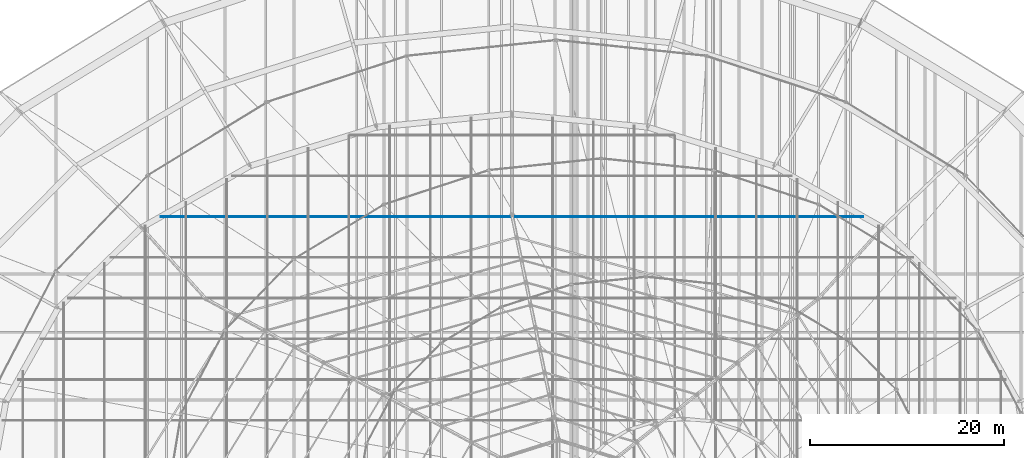
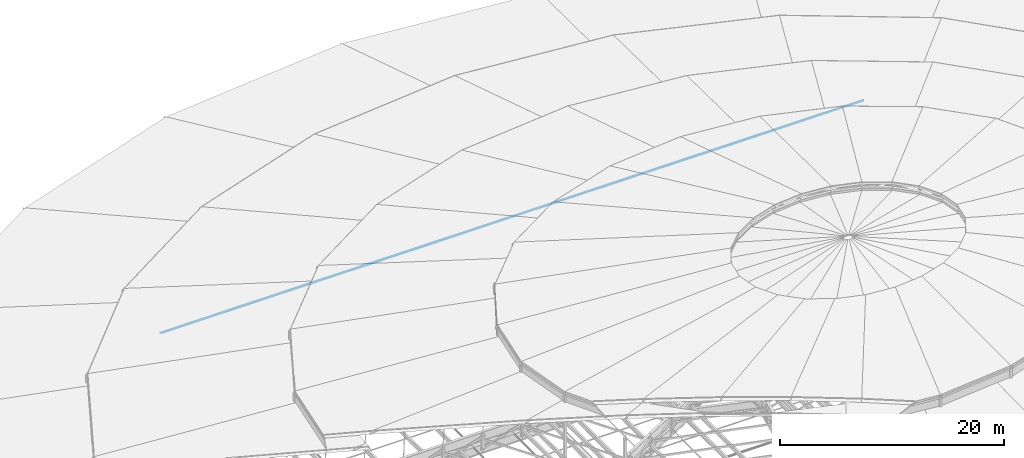
# One storey, part 115 of 184: 1 member.
"""IFC4 building model written with IfcOpenShell, lengths in metres."""

from ifc_helpers import new_model, si_unit, direction, frame, origin, origin_2d, place, context, subcontext, project, spatial, circle, extrude, material, material_profile, profile_set, type_object, element, save


model = new_model("IFC4")

# Units and contexts
model_context = context("Model", 3, precision=1e-05, world=origin(), true_north=direction((0.0, 1.0)))
body_context = subcontext(model_context, "Body", "Model", "MODEL_VIEW")
ifc_project = project(units=[si_unit("LENGTHUNIT", "METRE"), si_unit("AREAUNIT", "SQUARE_METRE"), si_unit("VOLUMEUNIT", "CUBIC_METRE"), si_unit("PLANEANGLEUNIT", "RADIAN"), si_unit("MASSUNIT", "GRAM", prefix="KILO")], contexts=[model_context])

# Site, building, storey
site_placement = place(None, origin())
site = spatial("IfcSite", under=ifc_project, at=site_placement, CompositionType="ELEMENT")
building_placement = place(site_placement, origin())
building = spatial("IfcBuilding", under=site, at=building_placement, Name="Kalgoora Escarpment Arena", CompositionType="ELEMENT")
storey_placement = place(building_placement, frame((0.0, 0.0, 27.60009765625)))
storey = spatial("IfcBuildingStorey", under=building, at=storey_placement, Name="Roof Level", CompositionType="ELEMENT", Elevation=27.60009765625)

# Member
ifc_material = material(Name="High-tensile spiral strand steel Grade 450 (350 MPa)", Category="steel")
ifc_material_profile = material_profile(ifc_material, circle(Radius=0.035888671875, at=origin_2d()))
ifc_profile_set = profile_set([ifc_material_profile], Name="High-tensile spiral strand steel Grade 450 (350 MPa)")
member_type = type_object("IfcMemberType", Name="MEM-CABLE-72", PredefinedType="USERDEFINED", material=ifc_profile_set)
member_placement = place(storey_placement, frame((56.17919921875, 93.39990234375, -1.25), z_axis=(1.0, 0.0, 0.0), x_axis=(0.0, 1.0, 0.0)))
element("IfcMember", 1, at=member_placement, inside=storey, type_object=member_type, Name="Roof saddle hanging cable X-16", ObjectType="CABLE", PredefinedType="USERDEFINED", context=body_context, shape_type="SweptSolid", body=[
    extrude(circle(Radius=0.035888671875, at=origin_2d()), origin(), (0.0, 0.0, 1.0), 72.441650390625),
])

save(model, "model.ifc")
